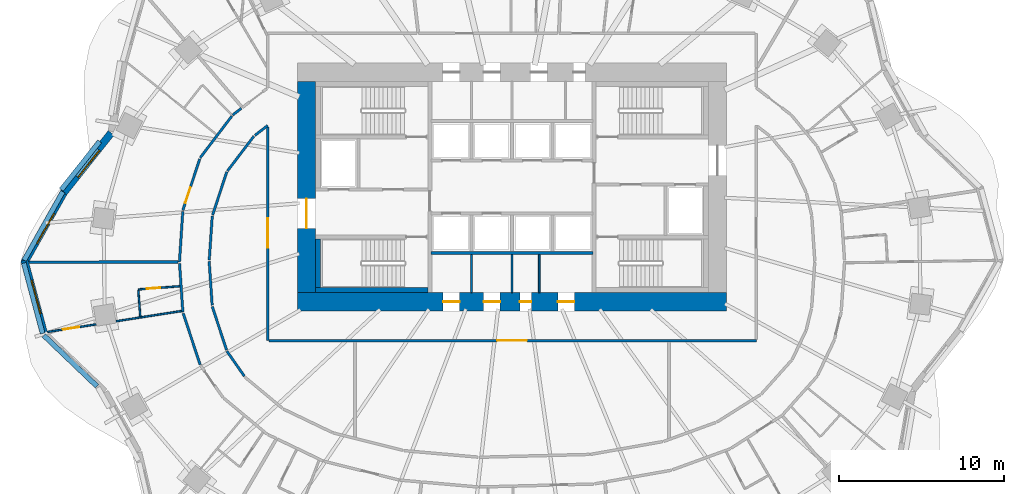
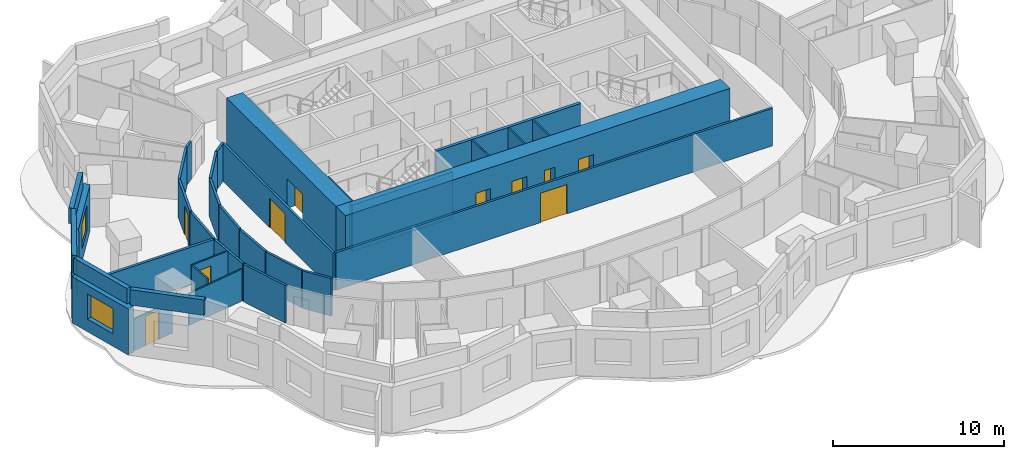
# One storey, part 5 of 12: 35 walls, 10 doors, 3 windows, 13 openings.
"""IFC4 building model written with IfcOpenShell, lengths in metres."""

from ifc_helpers import new_model, si_unit, direction, frame, frame_2d, origin, place, context, subcontext, project, spatial, rectangle, extrude, material, layer, layer_set, type_object, element, fill, save


model = new_model("IFC4")

# Units and contexts
model_context = context("Model", 3, precision=1e-05, world=origin(), true_north=direction((0.0, 1.0)))
body_context = subcontext(model_context, "Body", "Model", "MODEL_VIEW")
ifc_project = project(units=[si_unit("LENGTHUNIT", "METRE"), si_unit("AREAUNIT", "SQUARE_METRE"), si_unit("VOLUMEUNIT", "CUBIC_METRE"), si_unit("PLANEANGLEUNIT", "RADIAN"), si_unit("MASSUNIT", "GRAM", prefix="KILO")], contexts=[model_context])

# Site, building, storey
site_placement = place(None, origin())
site = spatial("IfcSite", under=ifc_project, at=site_placement, CompositionType="ELEMENT")
building_placement = place(site_placement, origin())
building = spatial("IfcBuilding", under=site, at=building_placement, Name="Rubra Terraces Tower", CompositionType="ELEMENT")
storey_placement = place(building_placement, frame((0.0, 0.0, 117.60009765625)))
storey = spatial("IfcBuildingStorey", under=building, at=storey_placement, Name="L28", CompositionType="ELEMENT", Elevation=117.60009765625)

# Wall
ifc_material_1 = material(Name="Twin plasterboard on staggered steel stud, acoustic mineral wool", Category="steel")
ifc_layer_1 = layer(ifc_material_1, 0.175048828125)
ifc_layer_set_1 = layer_set([ifc_layer_1], Name="Twin plasterboard on staggered steel stud, acoustic mineral wool")
wall_type_1 = type_object("IfcWallType", Name="ACOUSTIC PARTY WALL 175", PredefinedType="PARTITIONING", material=ifc_layer_set_1)
wall_1_placement = place(storey_placement, frame((-29.270263671875, -0.06103515625, 0.0), z_axis=(0.0, 0.0, 1.0), x_axis=(0.999999161595, 0.001294916363, 0.0)))
element("IfcWall", 1, at=wall_1_placement, inside=storey, type_object=wall_type_1, Name="PARTITION", PredefinedType="PARTITIONING", context=body_context, shape_type="SweptSolid", body=[
    extrude(rectangle(XDim=9.0498046875, YDim=0.175048828125, at=frame_2d((4.52490234375, 0.0))), origin(), (0.0, 0.0, 1.0), 2.683837890625),
])

# Wall, opening, window
ifc_material_2 = material(Name="Brick masonry red-brown", Category="masonry")
ifc_layer_2 = layer(ifc_material_2, 0.449951171875)
ifc_layer_set_2 = layer_set([ifc_layer_2], Name="Brick masonry red-brown")
wall_type_2 = type_object("IfcWallType", Name="Brick facade wall 450", PredefinedType="SOLIDWALL", material=ifc_layer_set_2)
wall_2_placement = place(storey_placement, frame((-24.2822265625, 7.773681640625, 0.0), z_axis=(0.0, 0.0, 1.0), x_axis=(-0.621735490397, -0.783227285008, 0.0)))
wall_2 = element("IfcWall", 2, at=wall_2_placement, inside=storey, type_object=wall_type_2, Name="Facade wall L28 bay 19", PredefinedType="SOLIDWALL", context=body_context, shape_type="SweptSolid", body=[
    extrude(rectangle(XDim=4.62451171875, YDim=0.449951171875, at=frame_2d((2.312255859375, 0.0))), origin(), (0.0, 0.0, 1.0), 3.2998046875),
])
opening_1_placement = place(wall_2_placement, frame((1.26220703125, 0.0, 0.89990234375)))
opening_1 = element("IfcOpeningElement", 3, at=opening_1_placement, cuts=wall_2, Name="Opening W1Z", PredefinedType="OPENING", context=body_context, shape_type="SweptSolid", body=[
    extrude(rectangle(XDim=2.10009765625, YDim=1.800048828125, at=frame_2d((1.050048828125, 0.89990234375))), frame((0.0, 0.23486328125, 0.0), z_axis=(0.0, -1.0, 0.0), x_axis=(1.0, 0.0, 0.0)), (0.0, 0.0, 1.0), 0.469970703125),
])
ifc_material_3 = material(Name="Clear glass in aluminium frame", Category="aluminium")
window_type = type_object("IfcWindowType", Name="Fixed deep-set window under transfer level 2100 x 1800", PartitioningType="SINGLE_PANEL", PredefinedType="WINDOW", material=ifc_material_3)
window_1_placement = place(opening_1_placement, origin())
window_1 = element("IfcWindow", 4, at=window_1_placement, inside=storey, type_object=window_type, Name="Window L28 bay 19", OverallHeight=1.800048828125, OverallWidth=2.10009765625, PartitioningType="SINGLE_PANEL", PredefinedType="WINDOW", context=body_context, shape_type="SweptSolid", body=[
    extrude(rectangle(XDim=2.10009765625, YDim=1.800048828125, at=frame_2d((1.050048828125, 0.89990234375))), frame((0.0, 0.135009765625, 0.0), z_axis=(0.0, -1.0, 0.0), x_axis=(1.0, 0.0, 0.0)), (0.0, 0.0, 1.0), 0.06005859375),
])
fill(opening_1, window_1)

wall_3_placement = place(storey_placement, frame((-27.138427734375, 4.180908203125, 0.0), z_axis=(0.0, 0.0, 1.0), x_axis=(-0.491588303761, -0.870827732451, 0.0)))
wall_3 = element("IfcWall", 5, at=wall_3_placement, inside=storey, type_object=wall_type_2, Name="Facade wall L28 bay 20", PredefinedType="SOLIDWALL", context=body_context, shape_type="SweptSolid", body=[
    extrude(rectangle(XDim=4.924072265625, YDim=0.449951171875, at=frame_2d((2.4619140625, 0.0))), origin(), (0.0, 0.0, 1.0), 3.2998046875),
])
opening_2_placement = place(wall_3_placement, frame((1.412109375, 0.0, 0.89990234375)))
opening_2 = element("IfcOpeningElement", 6, at=opening_2_placement, cuts=wall_3, Name="Opening W1Z", PredefinedType="OPENING", context=body_context, shape_type="SweptSolid", body=[
    extrude(rectangle(XDim=2.10009765625, YDim=1.800048828125, at=frame_2d((1.050048828125, 0.89990234375))), frame((0.0, 0.23486328125, 0.0), z_axis=(0.0, -1.0, 0.0), x_axis=(1.0, 0.0, 0.0)), (0.0, 0.0, 1.0), 0.469970703125),
])
window_2_placement = place(opening_2_placement, origin())
window_2 = element("IfcWindow", 7, at=window_2_placement, inside=storey, type_object=window_type, Name="Window L28 bay 20", OverallHeight=1.800048828125, OverallWidth=2.10009765625, PartitioningType="SINGLE_PANEL", PredefinedType="WINDOW", context=body_context, shape_type="SweptSolid", body=[
    extrude(rectangle(XDim=2.10009765625, YDim=1.800048828125, at=frame_2d((1.050048828125, 0.89990234375))), frame((0.0, 0.135009765625, 0.0), z_axis=(0.0, -1.0, 0.0), x_axis=(1.0, 0.0, 0.0)), (0.0, 0.0, 1.0), 0.06005859375),
])
fill(opening_2, window_2)

wall_4_placement = place(storey_placement, frame((-29.539794921875, 0.05810546875, 0.0), z_axis=(0.0, 0.0, 1.0), x_axis=(0.258581372102, -0.96598947924, 0.0)))
wall_4 = element("IfcWall", 8, at=wall_4_placement, inside=storey, type_object=wall_type_2, Name="Facade wall L28 bay 21", PredefinedType="SOLIDWALL", context=body_context, shape_type="SweptSolid", body=[
    extrude(rectangle(XDim=4.68017578125, YDim=0.449951171875, at=frame_2d((2.340087890625, 0.0))), origin(), (0.0, 0.0, 1.0), 3.2998046875),
])
opening_3_placement = place(wall_4_placement, frame((1.2900390625, 0.0, 0.89990234375)))
opening_3 = element("IfcOpeningElement", 9, at=opening_3_placement, cuts=wall_4, Name="Opening W1Z", PredefinedType="OPENING", context=body_context, shape_type="SweptSolid", body=[
    extrude(rectangle(XDim=2.10009765625, YDim=1.800048828125, at=frame_2d((1.050048828125, 0.89990234375))), frame((0.0, 0.23486328125, 0.0), z_axis=(0.0, -1.0, 0.0), x_axis=(1.0, 0.0, 0.0)), (0.0, 0.0, 1.0), 0.469970703125),
])
window_3_placement = place(opening_3_placement, origin())
window_3 = element("IfcWindow", 10, at=window_3_placement, inside=storey, type_object=window_type, Name="Window L28 bay 21", OverallHeight=1.800048828125, OverallWidth=2.10009765625, PartitioningType="SINGLE_PANEL", PredefinedType="WINDOW", context=body_context, shape_type="SweptSolid", body=[
    extrude(rectangle(XDim=2.10009765625, YDim=1.800048828125, at=frame_2d((1.050048828125, 0.89990234375))), frame((0.0, 0.135009765625, 0.0), z_axis=(0.0, -1.0, 0.0), x_axis=(1.0, 0.0, 0.0)), (0.0, 0.0, 1.0), 0.06005859375),
])
fill(opening_3, window_3)

# Walls
ifc_layer_3 = layer(ifc_material_2, 0.300048828125)
ifc_layer_set_3 = layer_set([ifc_layer_3], Name="Brick masonry red-brown")
wall_type_3 = type_object("IfcWallType", Name="Brick parapet 300", PredefinedType="PARAPET", material=ifc_layer_set_3)
wall_5_placement = place(storey_placement, frame((-24.9775390625, 7.259521484375, 3.599853515625), z_axis=(0.0, 0.0, 1.0), x_axis=(-0.621751362571, -0.783214685218, 0.0)))
element("IfcWall", 11, at=wall_5_placement, inside=storey, type_object=wall_type_3, Name="Parapet L28 bay 19", PredefinedType="PARAPET", context=body_context, shape_type="SweptSolid", body=[
    extrude(rectangle(XDim=3.73779296875, YDim=0.300048828125, at=frame_2d((1.868896484375, 0.0))), origin(), (0.0, 0.0, 1.0), 1.10009765625),
])
wall_6_placement = place(storey_placement, frame((-27.204345703125, 4.216796875, 3.599853515625), z_axis=(0.0, 0.0, 1.0), x_axis=(-0.491605625826, -0.870817953798, 0.0)))
element("IfcWall", 12, at=wall_6_placement, inside=storey, type_object=wall_type_3, Name="Parapet L28 bay 20", PredefinedType="PARAPET", context=body_context, shape_type="SweptSolid", body=[
    extrude(rectangle(XDim=4.7744140625, YDim=0.300048828125, at=frame_2d((2.38720703125, 0.0))), origin(), (0.0, 0.0, 1.0), 1.10009765625),
])
wall_7_placement = place(storey_placement, frame((-29.57275390625, -0.1083984375, 3.599853515625), z_axis=(0.0, 0.0, 1.0), x_axis=(0.258523195294, -0.96600505045, 0.0)))
element("IfcWall", 13, at=wall_7_placement, inside=storey, type_object=wall_type_3, Name="Parapet L28 bay 21", PredefinedType="PARAPET", context=body_context, shape_type="SweptSolid", body=[
    extrude(rectangle(XDim=4.4140625, YDim=0.300048828125, at=frame_2d((2.20703125, 0.0))), origin(), (0.0, 0.0, 1.0), 1.10009765625),
])
wall_8_placement = place(storey_placement, frame((-28.36083984375, -4.491455078125, 3.599853515625), z_axis=(0.0, 0.0, 1.0), x_axis=(0.722718045729, -0.691142985479, 0.0)))
element("IfcWall", 14, at=wall_8_placement, inside=storey, type_object=wall_type_3, Name="Parapet L28 bay 22", PredefinedType="PARAPET", context=body_context, shape_type="SweptSolid", body=[
    extrude(rectangle(XDim=4.45361328125, YDim=0.300048828125, at=frame_2d((2.226806640625, 0.0))), origin(), (0.0, 0.0, 1.0), 1.10009765625),
])

# Wall, openings, doors
ifc_material_4 = material(Name="Concrete C60", Category="concrete")
ifc_layer_4 = layer(ifc_material_4, 1.10009765625)
ifc_layer_set_4 = layer_set([ifc_layer_4], Name="Concrete C60")
wall_type_4 = type_object("IfcWallType", Name="CORE WALL 1100 C60", PredefinedType="SHEAR", material=ifc_layer_set_4)
wall_9_placement = place(storey_placement, frame((-13.0, -2.449951171875, 0.0), z_axis=(0.0, 0.0, 1.0), x_axis=(1.0, 0.0, 0.0)))
wall_9 = element("IfcWall", 15, at=wall_9_placement, inside=storey, type_object=wall_type_4, Name="CORE WALL S L28", PredefinedType="SHEAR", context=body_context, shape_type="SweptSolid", body=[
    extrude(rectangle(XDim=26.0, YDim=1.10009765625, at=frame_2d((13.0, 0.0))), origin(), (0.0, 0.0, 1.0), 3.599853515625),
])
opening_4_placement = place(wall_9_placement, frame((8.824951171875, 0.0, 0.0)))
opening_4 = element("IfcOpeningElement", 16, at=opening_4_placement, cuts=wall_9, Name="Opening L28.C19", PredefinedType="OPENING", context=body_context, shape_type="SweptSolid", body=[
    extrude(rectangle(XDim=1.0, YDim=2.10009765625, at=frame_2d((0.5, 1.050048828125))), frame((0.0, 0.56005859375, 0.0), z_axis=(0.0, -1.0, 0.0), x_axis=(1.0, 0.0, 0.0)), (0.0, 0.0, 1.0), 1.1201171875),
])
opening_5_placement = place(wall_9_placement, frame((11.27490234375, 0.0, 0.0)))
opening_5 = element("IfcOpeningElement", 17, at=opening_5_placement, cuts=wall_9, Name="Opening L28.C20", PredefinedType="OPENING", context=body_context, shape_type="SweptSolid", body=[
    extrude(rectangle(XDim=1.0, YDim=2.10009765625, at=frame_2d((0.5, 1.050048828125))), frame((0.0, 0.56005859375, 0.0), z_axis=(0.0, -1.0, 0.0), x_axis=(1.0, 0.0, 0.0)), (0.0, 0.0, 1.0), 1.1201171875),
])
opening_6_placement = place(wall_9_placement, frame((13.47509765625, 0.0, 0.0)))
opening_6 = element("IfcOpeningElement", 18, at=opening_6_placement, cuts=wall_9, Name="Opening L28.C21", PredefinedType="OPENING", context=body_context, shape_type="SweptSolid", body=[
    extrude(rectangle(XDim=0.699951171875, YDim=2.10009765625, at=frame_2d((0.35009765625, 1.050048828125))), frame((0.0, 0.56005859375, 0.0), z_axis=(0.0, -1.0, 0.0), x_axis=(1.0, 0.0, 0.0)), (0.0, 0.0, 1.0), 1.1201171875),
])
opening_7_placement = place(wall_9_placement, frame((15.77490234375, 0.0, 0.0)))
opening_7 = element("IfcOpeningElement", 19, at=opening_7_placement, cuts=wall_9, Name="Opening L28.C22", PredefinedType="OPENING", context=body_context, shape_type="SweptSolid", body=[
    extrude(rectangle(XDim=1.0, YDim=2.10009765625, at=frame_2d((0.5, 1.050048828125))), frame((0.0, 0.56005859375, 0.0), z_axis=(0.0, -1.0, 0.0), x_axis=(1.0, 0.0, 0.0)), (0.0, 0.0, 1.0), 1.1201171875),
])
ifc_material_5 = material(Name="Painted steel", Category="steel")
door_type_1 = type_object("IfcDoorType", Name="Fire door 1000x2100 single", OperationType="NOTDEFINED", PredefinedType="DOOR", material=ifc_material_5)
door_1_placement = place(opening_4_placement, origin())
door_1 = element("IfcDoor", 20, at=door_1_placement, inside=storey, type_object=door_type_1, Name="Guest pantry door", OperationType="SINGLE_SWING_LEFT", OverallHeight=2.10009765625, OverallWidth=1.0, PredefinedType="DOOR", context=body_context, shape_type="SweptSolid", body=[
    extrude(rectangle(XDim=1.0, YDim=2.10009765625, at=frame_2d((0.5, 1.050048828125))), frame((0.0, 0.02490234375, 0.0), z_axis=(0.0, -1.0, 0.0), x_axis=(1.0, 0.0, 0.0)), (0.0, 0.0, 1.0), 0.050048828125),
])
fill(opening_4, door_1)
door_2_placement = place(opening_5_placement, origin())
door_2 = element("IfcDoor", 21, at=door_2_placement, inside=storey, type_object=door_type_1, Name="Linen store door", OperationType="SINGLE_SWING_RIGHT", OverallHeight=2.10009765625, OverallWidth=1.0, PredefinedType="DOOR", context=body_context, shape_type="SweptSolid", body=[
    extrude(rectangle(XDim=1.0, YDim=2.10009765625, at=frame_2d((0.5, 1.050048828125))), frame((0.0, 0.02490234375, 0.0), z_axis=(0.0, -1.0, 0.0), x_axis=(1.0, 0.0, 0.0)), (0.0, 0.0, 1.0), 0.050048828125),
])
fill(opening_5, door_2)
door_3_placement = place(opening_7_placement, origin())
door_3 = element("IfcDoor", 22, at=door_3_placement, inside=storey, type_object=door_type_1, Name="Housekeeping store door", OperationType="SINGLE_SWING_RIGHT", OverallHeight=2.10009765625, OverallWidth=1.0, PredefinedType="DOOR", context=body_context, shape_type="SweptSolid", body=[
    extrude(rectangle(XDim=1.0, YDim=2.10009765625, at=frame_2d((0.5, 1.050048828125))), frame((0.0, 0.02490234375, 0.0), z_axis=(0.0, -1.0, 0.0), x_axis=(1.0, 0.0, 0.0)), (0.0, 0.0, 1.0), 0.050048828125),
])
fill(opening_7, door_3)
door_type_2 = type_object("IfcDoorType", Name="Riser access door 700x2100 single", OperationType="NOTDEFINED", PredefinedType="DOOR", material=ifc_material_5)
door_4_placement = place(opening_6_placement, origin())
door_4 = element("IfcDoor", 23, at=door_4_placement, inside=storey, type_object=door_type_2, Name="Electrical riser room door", OperationType="SINGLE_SWING_LEFT", OverallHeight=2.10009765625, OverallWidth=0.699951171875, PredefinedType="DOOR", context=body_context, shape_type="SweptSolid", body=[
    extrude(rectangle(XDim=0.699951171875, YDim=2.10009765625, at=frame_2d((0.35009765625, 1.050048828125))), frame((0.0, 0.02490234375, 0.0), z_axis=(0.0, -1.0, 0.0), x_axis=(1.0, 0.0, 0.0)), (0.0, 0.0, 1.0), 0.050048828125),
])
fill(opening_6, door_4)

# Wall, opening, door
wall_10_placement = place(storey_placement, frame((-12.449951171875, -1.89990234375, 0.0), z_axis=(0.0, 0.0, 1.0), x_axis=(0.0, 1.0, 0.0)))
wall_10 = element("IfcWall", 24, at=wall_10_placement, inside=storey, type_object=wall_type_4, Name="CORE WALL W L28", PredefinedType="SHEAR", context=body_context, shape_type="SweptSolid", body=[
    extrude(rectangle(XDim=12.7998046875, YDim=1.10009765625, at=frame_2d((6.39990234375, 0.0))), origin(), (0.0, 0.0, 1.0), 3.599853515625),
])
opening_8_placement = place(wall_10_placement, frame((3.89990234375, 0.0, 0.0)))
opening_8 = element("IfcOpeningElement", 25, at=opening_8_placement, cuts=wall_10, Name="Opening L28.C01", PredefinedType="OPENING", context=body_context, shape_type="SweptSolid", body=[
    extrude(rectangle(XDim=1.800048828125, YDim=2.10009765625, at=frame_2d((0.89990234375, 1.050048828125))), frame((0.0, 0.56005859375, 0.0), z_axis=(0.0, -1.0, 0.0), x_axis=(1.0, 0.0, 0.0)), (0.0, 0.0, 1.0), 1.1201171875),
])
door_type_3 = type_object("IfcDoorType", Name="Fire door 1800x2100 double", OperationType="NOTDEFINED", PredefinedType="DOOR", material=ifc_material_5)
door_5_placement = place(opening_8_placement, origin())
door_5 = element("IfcDoor", 26, at=door_5_placement, inside=storey, type_object=door_type_3, Name="Core entrance door FF1", OperationType="DOUBLE_DOOR_SINGLE_SWING", OverallHeight=2.10009765625, OverallWidth=1.800048828125, PredefinedType="DOOR", context=body_context, shape_type="SweptSolid", body=[
    extrude(rectangle(XDim=1.800048828125, YDim=2.10009765625, at=frame_2d((0.89990234375, 1.050048828125))), frame((0.0, 0.02490234375, 0.0), z_axis=(0.0, -1.0, 0.0), x_axis=(1.0, 0.0, 0.0)), (0.0, 0.0, 1.0), 0.050048828125),
])
fill(opening_8, door_5)

# Walls
ifc_material_6 = material(Name="Plasterboard on steel stud, mineral wool infill", Category="steel")
ifc_layer_5 = layer(ifc_material_6, 0.14990234375)
ifc_layer_set_5 = layer_set([ifc_layer_5], Name="Plasterboard on steel stud, mineral wool infill")
wall_type_5 = type_object("IfcWallType", Name="CORRIDOR PARTITION 150", PredefinedType="PARTITIONING", material=ifc_layer_set_5)
wall_11_placement = place(storey_placement, frame((-16.39306640625, 9.26708984375, 0.0), z_axis=(0.0, 0.0, 1.0), x_axis=(-0.79167103102, -0.610947607118, 0.0)))
element("IfcWall", 27, at=wall_11_placement, inside=storey, type_object=wall_type_5, Name="PARTITION", PredefinedType="PARTITIONING", context=body_context, shape_type="SweptSolid", body=[
    extrude(rectangle(XDim=0.667236328125, YDim=0.14990234375, at=frame_2d((0.33349609375, 0.0))), origin(), (0.0, 0.0, 1.0), 2.683837890625),
])
wall_12_placement = place(storey_placement, frame((-16.966796875, 8.799560546875, 0.0), z_axis=(0.0, 0.0, 1.0), x_axis=(-0.604991921991, -0.796231608469, 0.0)))
element("IfcWall", 28, at=wall_12_placement, inside=storey, type_object=wall_type_5, Name="PARTITION", PredefinedType="PARTITIONING", context=body_context, shape_type="SweptSolid", body=[
    extrude(rectangle(XDim=3.18505859375, YDim=0.14990234375, at=frame_2d((1.592529296875, 0.0))), origin(), (0.0, 0.0, 1.0), 2.683837890625),
])

# Wall, opening, door
wall_13_placement = place(storey_placement, frame((-18.917236328125, 6.192138671875, 0.0), z_axis=(0.0, 0.0, 1.0), x_axis=(-0.31208108916, -0.950055468796, 0.0)))
wall_13 = element("IfcWall", 29, at=wall_13_placement, inside=storey, type_object=wall_type_5, Name="PARTITION", PredefinedType="PARTITIONING", context=body_context, shape_type="SweptSolid", body=[
    extrude(rectangle(XDim=3.27001953125, YDim=0.14990234375, at=frame_2d((1.635009765625, 0.0))), origin(), (0.0, 0.0, 1.0), 2.683837890625),
])
opening_9_placement = place(wall_13_placement, frame((1.805908203125, 0.0, 0.0)))
opening_9 = element("IfcOpeningElement", 30, at=opening_9_placement, cuts=wall_13, Name="Opening 28-126", PredefinedType="OPENING", context=body_context, shape_type="SweptSolid", body=[
    extrude(rectangle(XDim=1.0, YDim=2.10009765625, at=frame_2d((0.5, 1.050048828125))), frame((0.0, 0.0849609375, 0.0), z_axis=(0.0, -1.0, 0.0), x_axis=(1.0, 0.0, 0.0)), (0.0, 0.0, 1.0), 0.169921875),
])
ifc_material_7 = material(Name="Painted timber door leaf", Category="wood")
door_type_4 = type_object("IfcDoorType", Name="ROOM DOOR 1000 X 2100", OperationType="SINGLE_SWING_LEFT", PredefinedType="DOOR", material=ifc_material_7)
door_6_placement = place(opening_9_placement, origin())
door_6 = element("IfcDoor", 31, at=door_6_placement, inside=storey, type_object=door_type_4, Name="DOOR 28-126", OperationType="SINGLE_SWING_RIGHT", OverallHeight=2.10009765625, OverallWidth=1.0, PredefinedType="DOOR", context=body_context, shape_type="SweptSolid", body=[
    extrude(rectangle(XDim=1.0, YDim=2.10009765625, at=frame_2d((0.5, 1.050048828125))), frame((0.0, 0.02490234375, 0.0), z_axis=(0.0, -1.0, 0.0), x_axis=(1.0, 0.0, 0.0)), (0.0, 0.0, 1.0), 0.050048828125),
])
fill(opening_9, door_6)

# Walls
wall_14_placement = place(storey_placement, frame((-19.942626953125, 3.0107421875, 0.0), z_axis=(0.0, 0.0, 1.0), x_axis=(-0.066159683944, -0.997809047975, 0.0)))
element("IfcWall", 32, at=wall_14_placement, inside=storey, type_object=wall_type_5, Name="PARTITION", PredefinedType="PARTITIONING", context=body_context, shape_type="SweptSolid", body=[
    extrude(rectangle(XDim=3.066650390625, YDim=0.14990234375, at=frame_2d((1.533203125, 0.0))), origin(), (0.0, 0.0, 1.0), 2.683837890625),
])
wall_15_placement = place(storey_placement, frame((-20.140380859375, -0.123779296875, 0.0), z_axis=(0.0, 0.0, 1.0), x_axis=(0.068260165727, -0.997667554737, 0.0)))
element("IfcWall", 33, at=wall_15_placement, inside=storey, type_object=wall_type_5, Name="PARTITION", PredefinedType="PARTITIONING", context=body_context, shape_type="SweptSolid", body=[
    extrude(rectangle(XDim=2.968505859375, YDim=0.14990234375, at=frame_2d((1.484375, 0.0))), origin(), (0.0, 0.0, 1.0), 2.683837890625),
])
wall_16_placement = place(storey_placement, frame((-19.914306640625, -3.15673828125, 0.0), z_axis=(0.0, 0.0, 1.0), x_axis=(0.31208108916, -0.950055468796, 0.0)))
element("IfcWall", 34, at=wall_16_placement, inside=storey, type_object=wall_type_5, Name="PARTITION", PredefinedType="PARTITIONING", context=body_context, shape_type="SweptSolid", body=[
    extrude(rectangle(XDim=3.27001953125, YDim=0.14990234375, at=frame_2d((1.635009765625, 0.0))), origin(), (0.0, 0.0, 1.0), 2.683837890625),
])
wall_17_placement = place(storey_placement, frame((-16.20947265625, -6.9658203125, 0.0), z_axis=(0.0, 0.0, 1.0), x_axis=(-0.572051367607, 0.820217795966, 0.0)))
element("IfcWall", 35, at=wall_17_placement, inside=storey, type_object=wall_type_5, Name="PARTITION", PredefinedType="PARTITIONING", context=body_context, shape_type="SweptSolid", body=[
    extrude(rectangle(XDim=1.84765625, YDim=0.14990234375, at=frame_2d((0.923828125, 0.0))), origin(), (0.0, 0.0, 1.0), 2.683837890625),
])
wall_18_placement = place(storey_placement, frame((-17.289794921875, -5.379150390625, 0.0), z_axis=(0.0, 0.0, 1.0), x_axis=(-0.312009486843, 0.950078986253, 0.0)))
element("IfcWall", 36, at=wall_18_placement, inside=storey, type_object=wall_type_5, Name="PARTITION", PredefinedType="PARTITIONING", context=body_context, shape_type="SweptSolid", body=[
    extrude(rectangle(XDim=2.780029296875, YDim=0.14990234375, at=frame_2d((1.39013671875, 0.0))), origin(), (0.0, 0.0, 1.0), 2.683837890625),
])
for number, where, z_axis, x_axis, name in (
    (37, (-18.162353515625, -2.6630859375, 0.0), (0.0, 0.0, 1.0), (-0.068321828968, 0.997663333839, 0.0), "PARTITION"),
    (38, (-18.339599609375, 0.07470703125, 0.0), (0.0, 0.0, 1.0), (0.068321828968, 0.997663333839, 0.0), "PARTITION"),
):
    element("IfcWall", number, at=place(storey_placement, frame(where, z_axis=z_axis, x_axis=x_axis)), inside=storey, type_object=wall_type_5, Name=name, PredefinedType="PARTITIONING", context=body_context, shape_type="SweptSolid", body=[
        extrude(rectangle(XDim=2.66943359375, YDim=0.14990234375, at=frame_2d((1.334716796875, 0.0))), origin(), (0.0, 0.0, 1.0), 2.683837890625),
    ])
wall_19_placement = place(storey_placement, frame((-18.1337890625, 2.80908203125, 0.0), z_axis=(0.0, 0.0, 1.0), x_axis=(0.312005223814, 0.950080386237, 0.0)))
element("IfcWall", 39, at=wall_19_placement, inside=storey, type_object=wall_type_5, Name="PARTITION", PredefinedType="PARTITIONING", context=body_context, shape_type="SweptSolid", body=[
    extrude(rectangle(XDim=2.74267578125, YDim=0.14990234375, at=frame_2d((1.371337890625, 0.0))), origin(), (0.0, 0.0, 1.0), 2.683837890625),
])
wall_20_placement = place(storey_placement, frame((-17.232666015625, 5.474609375, 0.0), z_axis=(0.0, 0.0, 1.0), x_axis=(0.605024750549, 0.796206663639, 0.0)))
element("IfcWall", 40, at=wall_20_placement, inside=storey, type_object=wall_type_5, Name="PARTITION", PredefinedType="PARTITIONING", context=body_context, shape_type="SweptSolid", body=[
    extrude(rectangle(XDim=2.644775390625, YDim=0.14990234375, at=frame_2d((1.322265625, 0.0))), origin(), (0.0, 0.0, 1.0), 2.683837890625),
])
wall_21_placement = place(storey_placement, frame((-15.572998046875, 7.626220703125, 0.0), z_axis=(0.0, 0.0, 1.0), x_axis=(0.791581834002, 0.611063171921, 0.0)))
element("IfcWall", 41, at=wall_21_placement, inside=storey, type_object=wall_type_5, Name="PARTITION", PredefinedType="PARTITIONING", context=body_context, shape_type="SweptSolid", body=[
    extrude(rectangle(XDim=0.9765625, YDim=0.14990234375, at=frame_2d((0.48828125, 0.0))), origin(), (0.0, 0.0, 1.0), 2.683837890625),
])

# Wall, opening, door
wall_22_placement = place(storey_placement, frame((-14.800048828125, 8.14794921875, 0.0), z_axis=(0.0, 0.0, 1.0), x_axis=(0.0, -1.0, 0.0)))
wall_22 = element("IfcWall", 42, at=wall_22_placement, inside=storey, type_object=wall_type_5, Name="PARTITION", PredefinedType="PARTITIONING", context=body_context, shape_type="SweptSolid", body=[
    extrude(rectangle(XDim=12.947998046875, YDim=0.14990234375, at=frame_2d((6.47412109375, 0.0))), origin(), (0.0, 0.0, 1.0), 2.683837890625),
])
opening_10_placement = place(wall_22_placement, frame((5.535888671875, 0.0, 0.0)))
opening_10 = element("IfcOpeningElement", 43, at=opening_10_placement, cuts=wall_22, Name="Opening 28-134", PredefinedType="OPENING", context=body_context, shape_type="SweptSolid", body=[
    extrude(rectangle(XDim=1.800048828125, YDim=2.10009765625, at=frame_2d((0.89990234375, 1.050048828125))), frame((0.0, 0.0849609375, 0.0), z_axis=(0.0, -1.0, 0.0), x_axis=(1.0, 0.0, 0.0)), (0.0, 0.0, 1.0), 0.169921875),
])
ifc_material_8 = material(Name="Painted timber door leaf, double", Category="wood")
door_type_5 = type_object("IfcDoorType", Name="ROOM DOUBLE DOOR 1800 X 2100", OperationType="DOUBLE_DOOR_SINGLE_SWING", PredefinedType="DOOR", material=ifc_material_8)
door_7_placement = place(opening_10_placement, origin())
door_7 = element("IfcDoor", 44, at=door_7_placement, inside=storey, type_object=door_type_5, Name="DOOR 28-134", OperationType="DOUBLE_DOOR_SINGLE_SWING", OverallHeight=2.10009765625, OverallWidth=1.800048828125, PredefinedType="DOOR", context=body_context, shape_type="SweptSolid", body=[
    extrude(rectangle(XDim=1.800048828125, YDim=2.10009765625, at=frame_2d((0.89990234375, 1.050048828125))), frame((0.0, 0.02490234375, 0.0), z_axis=(0.0, -1.0, 0.0), x_axis=(1.0, 0.0, 0.0)), (0.0, 0.0, 1.0), 0.050048828125),
])
fill(opening_10, door_7)

wall_23_placement = place(storey_placement, frame((-14.72509765625, -4.800048828125, 0.0), z_axis=(0.0, 0.0, 1.0), x_axis=(1.0, 0.0, 0.0)))
wall_23 = element("IfcWall", 45, at=wall_23_placement, inside=storey, type_object=wall_type_5, Name="PARTITION", PredefinedType="PARTITIONING", context=body_context, shape_type="SweptSolid", body=[
    extrude(rectangle(XDim=29.525146484375, YDim=0.14990234375, at=frame_2d((14.7626953125, 0.0))), origin(), (0.0, 0.0, 1.0), 2.683837890625),
])
opening_11_placement = place(wall_23_placement, frame((13.824951171875, 0.0, 0.0)))
opening_11 = element("IfcOpeningElement", 46, at=opening_11_placement, cuts=wall_23, Name="Opening 28-135", PredefinedType="OPENING", context=body_context, shape_type="SweptSolid", body=[
    extrude(rectangle(XDim=1.800048828125, YDim=2.10009765625, at=frame_2d((0.89990234375, 1.050048828125))), frame((0.0, 0.0849609375, 0.0), z_axis=(0.0, -1.0, 0.0), x_axis=(1.0, 0.0, 0.0)), (0.0, 0.0, 1.0), 0.169921875),
])
door_8_placement = place(opening_11_placement, origin())
door_8 = element("IfcDoor", 47, at=door_8_placement, inside=storey, type_object=door_type_5, Name="DOOR 28-135", OperationType="DOUBLE_DOOR_SINGLE_SWING", OverallHeight=2.10009765625, OverallWidth=1.800048828125, PredefinedType="DOOR", context=body_context, shape_type="SweptSolid", body=[
    extrude(rectangle(XDim=1.800048828125, YDim=2.10009765625, at=frame_2d((0.89990234375, 1.050048828125))), frame((0.0, 0.02490234375, 0.0), z_axis=(0.0, -1.0, 0.0), x_axis=(1.0, 0.0, 0.0)), (0.0, 0.0, 1.0), 0.050048828125),
])
fill(opening_11, door_8)

# Walls
ifc_material_9 = material(Name="Concrete C40", Category="concrete")
ifc_layer_6 = layer(ifc_material_9, 0.300048828125)
ifc_layer_set_6 = layer_set([ifc_layer_6], Name="Concrete C40")
wall_type_6 = type_object("IfcWallType", Name="Core lining wall 300 concrete", PredefinedType="SOLIDWALL", material=ifc_layer_set_6)
wall_24_placement = place(storey_placement, frame((-11.89990234375, -1.75, 0.0), z_axis=(0.0, 0.0, 1.0), x_axis=(1.0, 0.0, 0.0)))
element("IfcWall", 48, at=wall_24_placement, inside=storey, type_object=wall_type_6, Name="CORE LINING WALL L28", PredefinedType="SOLIDWALL", context=body_context, shape_type="SweptSolid", body=[
    extrude(rectangle(XDim=6.7998046875, YDim=0.300048828125, at=frame_2d((3.39990234375, 0.0))), origin(), (0.0, 0.0, 1.0), 3.2998046875),
])
wall_25_placement = place(storey_placement, frame((-11.75, -1.60009765625, 0.0), z_axis=(0.0, 0.0, 1.0), x_axis=(0.0, 1.0, 0.0)))
element("IfcWall", 49, at=wall_25_placement, inside=storey, type_object=wall_type_6, Name="CORE LINING WALL L28", PredefinedType="SOLIDWALL", context=body_context, shape_type="SweptSolid", body=[
    extrude(rectangle(XDim=2.9501953125, YDim=0.300048828125, at=frame_2d((1.47509765625, 0.0))), origin(), (0.0, 0.0, 1.0), 3.2998046875),
])
ifc_material_10 = material(Name="Concrete C30", Category="concrete")
ifc_layer_7 = layer(ifc_material_10, 0.199951171875)
ifc_layer_set_7 = layer_set([ifc_layer_7], Name="Concrete C30")
wall_type_7 = type_object("IfcWallType", Name="Core wall 200 concrete", PredefinedType="SOLIDWALL", material=ifc_layer_set_7)
wall_26_placement = place(storey_placement, frame((-4.89990234375, 0.5, 0.0), z_axis=(0.0, 0.0, 1.0), x_axis=(1.0, 0.0, 0.0)))
element("IfcWall", 50, at=wall_26_placement, inside=storey, type_object=wall_type_7, Name="LIFT SHAFT WALL L28", PredefinedType="SOLIDWALL", context=body_context, shape_type="SweptSolid", body=[
    extrude(rectangle(XDim=9.7998046875, YDim=0.199951171875, at=frame_2d((4.89990234375, 0.0))), origin(), (0.0, 0.0, 1.0), 3.2998046875),
])

# Wall, opening, door
ifc_material_11 = material(Name="Plasterboard on steel stud", Category="steel")
ifc_layer_8 = layer(ifc_material_11, 0.10009765625)
ifc_layer_set_8 = layer_set([ifc_layer_8], Name="Plasterboard on steel stud")
wall_type_8 = type_object("IfcWallType", Name="ROOM PARTITION 100", PredefinedType="PARTITIONING", material=ifc_layer_set_8)
wall_27_placement = place(storey_placement, frame((-20.12060546875, -1.51171875, 0.0), z_axis=(0.0, 0.0, 1.0), x_axis=(-0.997033975127, -0.076962669143, 0.0)))
wall_27 = element("IfcWall", 51, at=wall_27_placement, inside=storey, type_object=wall_type_8, Name="PARTITION", PredefinedType="PARTITIONING", context=body_context, shape_type="SweptSolid", body=[
    extrude(rectangle(XDim=2.525146484375, YDim=0.10009765625, at=frame_2d((1.2626953125, 0.0))), origin(), (0.0, 0.0, 1.0), 2.683837890625),
])
opening_12_placement = place(wall_27_placement, frame((1.199951171875, 0.0, 0.0)))
opening_12 = element("IfcOpeningElement", 52, at=opening_12_placement, cuts=wall_27, Name="Opening 28-127", PredefinedType="OPENING", context=body_context, shape_type="SweptSolid", body=[
    extrude(rectangle(XDim=0.800048828125, YDim=2.10009765625, at=frame_2d((0.39990234375, 1.050048828125))), frame((0.0, 0.06005859375, 0.0), z_axis=(0.0, -1.0, 0.0), x_axis=(1.0, 0.0, 0.0)), (0.0, 0.0, 1.0), 0.1201171875),
])
door_type_6 = type_object("IfcDoorType", Name="BATHROOM DOOR 800 X 2100", OperationType="SINGLE_SWING_LEFT", PredefinedType="DOOR", material=ifc_material_7)
door_9_placement = place(opening_12_placement, origin())
door_9 = element("IfcDoor", 53, at=door_9_placement, inside=storey, type_object=door_type_6, Name="DOOR 28-127", OperationType="SINGLE_SWING_LEFT", OverallHeight=2.10009765625, OverallWidth=0.800048828125, PredefinedType="DOOR", context=body_context, shape_type="SweptSolid", body=[
    extrude(rectangle(XDim=0.800048828125, YDim=2.10009765625, at=frame_2d((0.39990234375, 1.050048828125))), frame((0.0, 0.02490234375, 0.0), z_axis=(0.0, -1.0, 0.0), x_axis=(1.0, 0.0, 0.0)), (0.0, 0.0, 1.0), 0.050048828125),
])
fill(opening_12, door_9)

# Wall
wall_28_placement = place(storey_placement, frame((-22.634521484375, -1.755859375, 0.0), z_axis=(0.0, 0.0, 1.0), x_axis=(0.07391097935, -0.997264843024, 0.0)))
element("IfcWall", 54, at=wall_28_placement, inside=storey, type_object=wall_type_8, Name="PARTITION", PredefinedType="PARTITIONING", context=body_context, shape_type="SweptSolid", body=[
    extrude(rectangle(XDim=1.60205078125, YDim=0.10009765625, at=frame_2d((0.801025390625, 0.0))), origin(), (0.0, 0.0, 1.0), 2.683837890625),
])

# Wall, opening, door
ifc_layer_9 = layer(ifc_material_11, 0.10009765625)
ifc_layer_set_9 = layer_set([ifc_layer_9], Name="Plasterboard on steel stud")
wall_type_9 = type_object("IfcWallType", Name="ROOM PARTITION 100 LOW HEAD", PredefinedType="PARTITIONING", material=ifc_layer_set_9)
wall_29_placement = place(storey_placement, frame((-28.1396484375, -4.282470703125, 0.0), z_axis=(0.0, 0.0, 1.0), x_axis=(0.988018688308, 0.154334285089, 0.0)))
wall_29 = element("IfcWall", 55, at=wall_29_placement, inside=storey, type_object=wall_type_9, Name="PARTITION", PredefinedType="PARTITIONING", context=body_context, shape_type="SweptSolid", body=[
    extrude(rectangle(XDim=2.972412109375, YDim=0.10009765625, at=frame_2d((1.486328125, 0.0))), origin(), (0.0, 0.0, 1.0), 2.27978515625),
])
opening_13_placement = place(wall_29_placement, frame((0.949951171875, 0.0, 0.0)))
opening_13 = element("IfcOpeningElement", 56, at=opening_13_placement, cuts=wall_29, Name="Opening 28-137", PredefinedType="OPENING", context=body_context, shape_type="SweptSolid", body=[
    extrude(rectangle(XDim=1.0, YDim=2.10009765625, at=frame_2d((0.5, 1.050048828125))), frame((0.0, 0.06005859375, 0.0), z_axis=(0.0, -1.0, 0.0), x_axis=(1.0, 0.0, 0.0)), (0.0, 0.0, 1.0), 0.1201171875),
])
door_10_placement = place(opening_13_placement, origin())
door_10 = element("IfcDoor", 57, at=door_10_placement, inside=storey, type_object=door_type_4, Name="DOOR 28-137", OperationType="SINGLE_SWING_LEFT", OverallHeight=2.10009765625, OverallWidth=1.0, PredefinedType="DOOR", context=body_context, shape_type="SweptSolid", body=[
    extrude(rectangle(XDim=1.0, YDim=2.10009765625, at=frame_2d((0.5, 1.050048828125))), frame((0.0, 0.02490234375, 0.0), z_axis=(0.0, -1.0, 0.0), x_axis=(1.0, 0.0, 0.0)), (0.0, 0.0, 1.0), 0.050048828125),
])
fill(opening_13, door_10)

# Walls
wall_30_placement = place(storey_placement, frame((-23.977783203125, -3.63232421875, 0.0), z_axis=(0.0, 0.0, 1.0), x_axis=(0.988026255512, 0.154285833501, 0.0)))
element("IfcWall", 58, at=wall_30_placement, inside=storey, type_object=wall_type_9, Name="PARTITION", PredefinedType="PARTITIONING", context=body_context, shape_type="SweptSolid", body=[
    extrude(rectangle(XDim=4.00830078125, YDim=0.10009765625, at=frame_2d((2.004150390625, 0.0))), origin(), (0.0, 0.0, 1.0), 2.27978515625),
])
ifc_material_12 = material(Name="Blockwork", Category="masonry")
ifc_layer_10 = layer(ifc_material_12, 0.10009765625)
ifc_layer_set_10 = layer_set([ifc_layer_10], Name="Blockwork")
wall_type_10 = type_object("IfcWallType", Name="Service partition 100 blockwork", PredefinedType="PARTITIONING", material=ifc_layer_set_10)
for number, where, z_axis, x_axis, name in (
    (59, (-2.449951171875, -1.89990234375, 0.0), (0.0, 0.0, 1.0), (0.0, 1.0, 0.0), "SERVICE ROOM PARTITION L28"),
    (60, (0.0, -1.89990234375, 0.0), (0.0, 0.0, 1.0), (0.0, 1.0, 0.0), "SERVICE ROOM PARTITION L28"),
    (61, (1.64990234375, -1.89990234375, 0.0), (0.0, 0.0, 1.0), (0.0, 1.0, 0.0), "SERVICE ROOM PARTITION L28"),
):
    element("IfcWall", number, at=place(storey_placement, frame(where, z_axis=z_axis, x_axis=x_axis)), inside=storey, type_object=wall_type_10, Name=name, PredefinedType="PARTITIONING", context=body_context, shape_type="SweptSolid", body=[
        extrude(rectangle(XDim=2.2998046875, YDim=0.10009765625, at=frame_2d((1.14990234375, 0.0))), origin(), (0.0, 0.0, 1.0), 3.2998046875),
    ])

save(model, "model.ifc")
